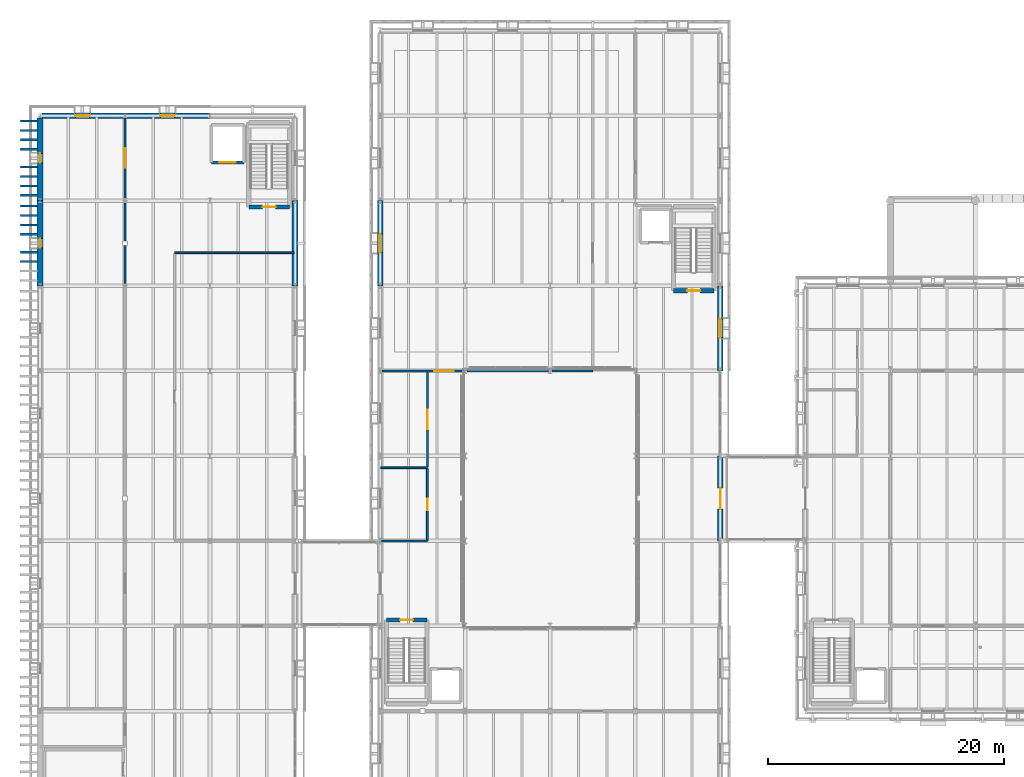
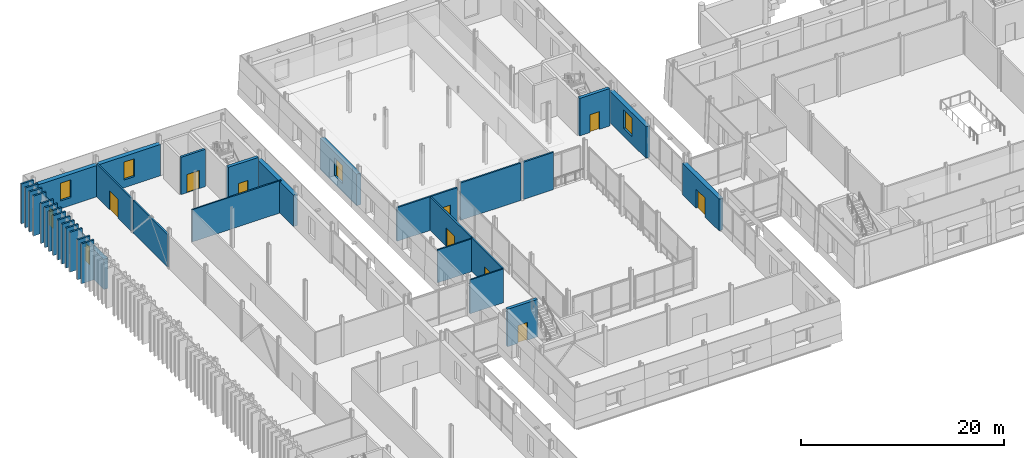
# One storey, part 81 of 121: 36 walls, 9 doors, 6 windows, 15 openings.
"""IFC4 building model written with IfcOpenShell, lengths in metres."""

from ifc_helpers import new_model, si_unit, direction, frame, frame_2d, origin, place, context, subcontext, project, spatial, rectangle, extrude, material, layer, layer_set, type_object, element, fill, save


model = new_model("IFC4")

# Units and contexts
model_context = context("Model", 3, precision=1e-05, world=origin(), true_north=direction((0.0, 1.0)))
body_context = subcontext(model_context, "Body", "Model", "MODEL_VIEW")
ifc_project = project(units=[si_unit("LENGTHUNIT", "METRE"), si_unit("AREAUNIT", "SQUARE_METRE"), si_unit("VOLUMEUNIT", "CUBIC_METRE"), si_unit("PLANEANGLEUNIT", "RADIAN"), si_unit("MASSUNIT", "GRAM", prefix="KILO")], contexts=[model_context])

# Site, building, storey
site_placement = place(None, origin())
site = spatial("IfcSite", under=ifc_project, at=site_placement, CompositionType="ELEMENT")
building_placement = place(site_placement, origin())
building = spatial("IfcBuilding", under=site, at=building_placement, Name="Narikvali Park Central Library", CompositionType="ELEMENT")
storey_placement = place(building_placement, frame((0.0, 0.0, 5.39990234375)))
storey = spatial("IfcBuildingStorey", under=building, at=storey_placement, Name="L01", CompositionType="ELEMENT", Elevation=5.39990234375)

# Walls
ifc_material_1 = material(Name="Kiln-Fired Terracotta Red Brick Masonry", Category="masonry")
ifc_layer_1 = layer(ifc_material_1, 0.199951171875, Name="Kiln-Fired Terracotta Red Brick Masonry")
ifc_layer_set_1 = layer_set([ifc_layer_1], Name="Kiln-Fired Terracotta Red Brick Masonry")
wall_type_1 = type_object("IfcWallType", Name="Kiln-Fired Red Brick Vertical Fin Wall 200", PredefinedType="SOLIDWALL", material=ifc_layer_set_1)
for number, where, z_axis, x_axis, name in (
    (1, (-1.659912109375, 95.64990234375, 0.0), (0.0, 0.0, 1.0), (1.0, 0.0, 0.0), "West Stacks Red Brick Vertical Fin Pier 422"),
    (2, (-1.659912109375, 96.449951171875, 0.0), (0.0, 0.0, 1.0), (1.0, 0.0, 0.0), "West Stacks Red Brick Vertical Fin Pier 428"),
    (3, (-1.659912109375, 97.949951171875, 0.0), (0.0, 0.0, 1.0), (1.0, 0.0, 0.0), "West Stacks Red Brick Vertical Fin Pier 434"),
    (4, (-1.659912109375, 98.75, 0.0), (0.0, 0.0, 1.0), (1.0, 0.0, 0.0), "West Stacks Red Brick Vertical Fin Pier 440"),
    (5, (-1.659912109375, 99.550048828125, 0.0), (0.0, 0.0, 1.0), (1.0, 0.0, 0.0), "West Stacks Red Brick Vertical Fin Pier 446"),
    (6, (-1.659912109375, 100.35009765625, 0.0), (0.0, 0.0, 1.0), (1.0, 0.0, 0.0), "West Stacks Red Brick Vertical Fin Pier 452"),
    (7, (-1.659912109375, 101.25, 0.0), (0.0, 0.0, 1.0), (1.0, 0.0, 0.0), "West Stacks Red Brick Vertical Fin Pier 458"),
    (8, (-1.659912109375, 102.050048828125, 0.0), (0.0, 0.0, 1.0), (1.0, 0.0, 0.0), "West Stacks Red Brick Vertical Fin Pier 464"),
    (9, (-1.659912109375, 102.85009765625, 0.0), (0.0, 0.0, 1.0), (1.0, 0.0, 0.0), "West Stacks Red Brick Vertical Fin Pier 470"),
    (10, (-1.659912109375, 103.64990234375, 0.0), (0.0, 0.0, 1.0), (1.0, 0.0, 0.0), "West Stacks Red Brick Vertical Fin Pier 476"),
    (11, (-1.659912109375, 105.14990234375, 0.0), (0.0, 0.0, 1.0), (1.0, 0.0, 0.0), "West Stacks Red Brick Vertical Fin Pier 482"),
    (12, (-1.659912109375, 105.949951171875, 0.0), (0.0, 0.0, 1.0), (1.0, 0.0, 0.0), "West Stacks Red Brick Vertical Fin Pier 488"),
    (13, (-1.659912109375, 106.75, 0.0), (0.0, 0.0, 1.0), (1.0, 0.0, 0.0), "West Stacks Red Brick Vertical Fin Pier 494"),
    (14, (-1.659912109375, 107.550048828125, 0.0), (0.0, 0.0, 1.0), (1.0, 0.0, 0.0), "West Stacks Red Brick Vertical Fin Pier 500"),
):
    element("IfcWall", number, at=place(storey_placement, frame(where, z_axis=z_axis, x_axis=x_axis)), inside=storey, type_object=wall_type_1, Name=name, PredefinedType="SOLIDWALL", context=body_context, shape_type="SweptSolid", body=[
        extrude(rectangle(XDim=1.43994140625, YDim=0.199951171875, at=frame_2d((0.719970703125, 0.0))), origin(), (0.0, 0.0, 1.0), 4.800048828125),
    ])
ifc_material_2 = material(Name="Moisture-Resistant Cement Board on Steel Studs", Category="steel")
ifc_layer_2 = layer(ifc_material_2, 0.14990234375, Name="Moisture-Resistant Cement Board on Steel Studs")
ifc_layer_set_2 = layer_set([ifc_layer_2], Name="Moisture-Resistant Cement Board on Steel Studs")
wall_type_2 = type_object("IfcWallType", Name="Moisture-Resistant WC Partition 150", PredefinedType="PARTITIONING", material=ifc_layer_set_2)
wall_1_placement = place(storey_placement, frame((28.9541015625, 72.0, 0.0), z_axis=(0.0, 0.0, 1.0), x_axis=(1.0, 0.0, 0.0)))
element("IfcWall", 15, at=wall_1_placement, inside=storey, type_object=wall_type_2, Name="Atrium Accessible WC L01 Partition S", PredefinedType="PARTITIONING", context=body_context, shape_type="SweptSolid", body=[
    extrude(rectangle(XDim=3.845947265625, YDim=0.14990234375, at=frame_2d((1.9228515625, 0.0))), origin(), (0.0, 0.0, 1.0), 4.065185546875),
])
wall_2_placement = place(storey_placement, frame((28.85498046875, 78.199951171875, 0.0), z_axis=(0.0, 0.0, 1.0), x_axis=(1.0, 0.0, 0.0)))
element("IfcWall", 16, at=wall_2_placement, inside=storey, type_object=wall_type_2, Name="Atrium Accessible WC L01 Partition N", PredefinedType="PARTITIONING", context=body_context, shape_type="SweptSolid", body=[
    extrude(rectangle(XDim=3.945068359375, YDim=0.14990234375, at=frame_2d((1.97265625, 0.0))), origin(), (0.0, 0.0, 1.0), 3.955078125),
])

# Wall, opening, door
wall_3_placement = place(storey_placement, frame((32.800048828125, 72.076904296875, 0.0), z_axis=(0.0, 0.0, 1.0), x_axis=(0.0, 1.0, 0.0)))
wall_3 = element("IfcWall", 17, at=wall_3_placement, inside=storey, type_object=wall_type_2, Name="Atrium Accessible WC L01 Partition E", PredefinedType="PARTITIONING", context=body_context, shape_type="SweptSolid", body=[
    extrude(rectangle(XDim=6.046142578125, YDim=0.14990234375, at=frame_2d((3.02294921875, 0.0))), origin(), (0.0, 0.0, 1.0), 4.065185546875),
])
opening_1_placement = place(wall_3_placement, frame((2.532958984375, 0.0, 0.0)))
opening_1 = element("IfcOpeningElement", 18, at=opening_1_placement, cuts=wall_3, Name="Opening ID-0013", PredefinedType="OPENING", context=body_context, shape_type="SweptSolid", body=[
    extrude(rectangle(XDim=0.97998046875, YDim=2.10009765625, at=frame_2d((0.489990234375, 1.050048828125))), frame((0.0, 0.0869140625, 0.0), z_axis=(0.0, -1.0, 0.0), x_axis=(1.0, 0.0, 0.0)), (0.0, 0.0, 1.0), 0.173828125),
])
ifc_material_3 = material(Name="Laminate Faced Hardwood Core", Category="wood")
door_type_1 = type_object("IfcDoorType", Name="Accessible WC Outward-Opening Door 980x2100", OperationType="SINGLE_SWING_RIGHT", PredefinedType="DOOR", material=ifc_material_3)
door_1_placement = place(opening_1_placement, frame((0.97998046875, 0.0, 0.0), z_axis=(0.0, 0.0, 1.0), x_axis=(-1.0, 0.0, 0.0)))
door_1 = element("IfcDoor", 19, at=door_1_placement, inside=storey, type_object=door_type_1, Name="Atrium Accessible WC L01 Door ID-0013", OperationType="SINGLE_SWING_LEFT", OverallHeight=2.10009765625, OverallWidth=0.97998046875, PredefinedType="DOOR", context=body_context, shape_type="SweptSolid", body=[
    extrude(rectangle(XDim=0.97998046875, YDim=2.10009765625, at=frame_2d((0.489990234375, 1.050048828125))), frame((0.0, 0.02490234375, 0.0), z_axis=(0.0, -1.0, 0.0), x_axis=(1.0, 0.0, 0.0)), (0.0, 0.0, 1.0), 0.050048828125),
])
fill(opening_1, door_1)

ifc_material_4 = material(Name="Acoustic Gypsum on Steel Studs", Category="steel")
ifc_layer_3 = layer(ifc_material_4, 0.179931640625, Name="Acoustic Gypsum on Steel Studs")
ifc_layer_set_3 = layer_set([ifc_layer_3], Name="Acoustic Gypsum on Steel Studs")
wall_type_3 = type_object("IfcWallType", Name="Reading Room Acoustic Partition 180", PredefinedType="PARTITIONING", material=ifc_layer_set_3)
wall_4_placement = place(storey_placement, frame((28.9541015625, 86.39990234375, 0.0), z_axis=(0.0, 0.0, 1.0), x_axis=(1.0, 0.0, 0.0)))
wall_4 = element("IfcWall", 20, at=wall_4_placement, inside=storey, type_object=wall_type_3, Name="Sciences and Arts Reading Room L01 Partition S", PredefinedType="PARTITIONING", context=body_context, shape_type="SweptSolid", body=[
    extrude(rectangle(XDim=6.891845703125, YDim=0.179931640625, at=frame_2d((3.44580078125, 0.0))), origin(), (0.0, 0.0, 1.0), 4.065185546875),
])
opening_2_placement = place(wall_4_placement, frame((4.424072265625, 0.0, 0.0)))
opening_2 = element("IfcOpeningElement", 21, at=opening_2_placement, cuts=wall_4, Name="Opening ID-0091", PredefinedType="OPENING", context=body_context, shape_type="SweptSolid", body=[
    extrude(rectangle(XDim=1.64990234375, YDim=2.25, at=frame_2d((0.824951171875, 1.125))), frame((0.0, 0.10205078125, 0.0), z_axis=(0.0, -1.0, 0.0), x_axis=(1.0, 0.0, 0.0)), (0.0, 0.0, 1.0), 0.203857421875),
])
ifc_material_5 = material(Name="Caucasian Oak and Tempered Glass", Category="glass")
door_type_2 = type_object("IfcDoorType", Name="Open Stacks Double Glazed Door 1650x2250", OperationType="DOUBLE_DOOR_SINGLE_SWING", PredefinedType="DOOR", material=ifc_material_5)
door_2_placement = place(opening_2_placement, origin())
door_2 = element("IfcDoor", 22, at=door_2_placement, inside=storey, type_object=door_type_2, Name="Sciences and Arts Reading Room L01 Door ID-0091", OperationType="DOUBLE_DOOR_SINGLE_SWING", OverallHeight=2.25, OverallWidth=1.64990234375, PredefinedType="DOOR", context=body_context, shape_type="SweptSolid", body=[
    extrude(rectangle(XDim=1.64990234375, YDim=2.25, at=frame_2d((0.824951171875, 1.125))), frame((0.0, 0.02490234375, 0.0), z_axis=(0.0, -1.0, 0.0), x_axis=(1.0, 0.0, 0.0)), (0.0, 0.0, 1.0), 0.050048828125),
])
fill(opening_2, door_2)

# Walls
wall_5_placement = place(storey_placement, frame((36.154052734375, 86.39990234375, 0.0), z_axis=(0.0, 0.0, 1.0), x_axis=(1.0, 0.0, 0.0)))
element("IfcWall", 23, at=wall_5_placement, inside=storey, type_object=wall_type_3, Name="Sciences and Arts Reading Room L01 Partition S", PredefinedType="PARTITIONING", context=body_context, shape_type="SweptSolid", body=[
    extrude(rectangle(XDim=6.891845703125, YDim=0.179931640625, at=frame_2d((3.44580078125, 0.0))), origin(), (0.0, 0.0, 1.0), 4.505126953125),
])
wall_6_placement = place(storey_placement, frame((43.35400390625, 86.39990234375, 0.0), z_axis=(0.0, 0.0, 1.0), x_axis=(1.0, 0.0, 0.0)))
element("IfcWall", 24, at=wall_6_placement, inside=storey, type_object=wall_type_3, Name="Sciences and Arts Reading Room L01 Partition S", PredefinedType="PARTITIONING", context=body_context, shape_type="SweptSolid", body=[
    extrude(rectangle(XDim=3.446044921875, YDim=0.179931640625, at=frame_2d((1.72314453125, 0.0))), origin(), (0.0, 0.0, 1.0), 4.505126953125),
])

# Wall, opening, door
wall_7_placement = place(storey_placement, frame((32.800048828125, 78.277099609375, 0.0), z_axis=(0.0, 0.0, 1.0), x_axis=(0.0, 1.0, 0.0)))
wall_7 = element("IfcWall", 25, at=wall_7_placement, inside=storey, type_object=wall_type_3, Name="Atrium Open Book Stacks L01 Partition E", PredefinedType="PARTITIONING", context=body_context, shape_type="SweptSolid", body=[
    extrude(rectangle(XDim=8.031005859375, YDim=0.179931640625, at=frame_2d((4.015625, 0.0))), origin(), (0.0, 0.0, 1.0), 4.065185546875),
])
opening_3_placement = place(wall_7_placement, frame((3.1904296875, 0.0, 0.0)))
opening_3 = element("IfcOpeningElement", 26, at=opening_3_placement, cuts=wall_7, Name="Opening ID-0093", PredefinedType="OPENING", context=body_context, shape_type="SweptSolid", body=[
    extrude(rectangle(XDim=1.64990234375, YDim=2.25, at=frame_2d((0.824951171875, 1.125))), frame((0.0, 0.10205078125, 0.0), z_axis=(0.0, -1.0, 0.0), x_axis=(1.0, 0.0, 0.0)), (0.0, 0.0, 1.0), 0.203857421875),
])
door_3_placement = place(opening_3_placement, origin())
door_3 = element("IfcDoor", 27, at=door_3_placement, inside=storey, type_object=door_type_2, Name="Atrium Open Book Stacks L01 Door ID-0093", OperationType="DOUBLE_DOOR_SINGLE_SWING", OverallHeight=2.25, OverallWidth=1.64990234375, PredefinedType="DOOR", context=body_context, shape_type="SweptSolid", body=[
    extrude(rectangle(XDim=1.64990234375, YDim=2.25, at=frame_2d((0.824951171875, 1.125))), frame((0.0, 0.02490234375, 0.0), z_axis=(0.0, -1.0, 0.0), x_axis=(1.0, 0.0, 0.0)), (0.0, 0.0, 1.0), 0.050048828125),
])
fill(opening_3, door_3)

# Wall
wall_8_placement = place(storey_placement, frame((7.199951171875, 93.79248046875, 0.0), z_axis=(0.0, 0.0, 1.0), x_axis=(0.0, 1.0, 0.0)))
element("IfcWall", 28, at=wall_8_placement, inside=storey, type_object=wall_type_3, Name="Caucasus History Open Stacks L01 Partition E", PredefinedType="PARTITIONING", context=body_context, shape_type="SweptSolid", body=[
    extrude(rectangle(XDim=6.81494140625, YDim=0.179931640625, at=frame_2d((3.407470703125, 0.0))), origin(), (0.0, 0.0, 1.0), 3.945068359375),
])

# Wall, opening, door
wall_9_placement = place(storey_placement, frame((7.199951171875, 100.992431640625, 0.0), z_axis=(0.0, 0.0, 1.0), x_axis=(0.0, 1.0, 0.0)))
wall_9 = element("IfcWall", 29, at=wall_9_placement, inside=storey, type_object=wall_type_3, Name="Caucasus History Open Stacks L01 Partition E", PredefinedType="PARTITIONING", context=body_context, shape_type="SweptSolid", body=[
    extrude(rectangle(XDim=6.823974609375, YDim=0.179931640625, at=frame_2d((3.412109375, 0.0))), origin(), (0.0, 0.0, 1.0), 3.945068359375),
])
opening_4_placement = place(wall_9_placement, frame((2.5869140625, 0.0, 0.0)))
opening_4 = element("IfcOpeningElement", 30, at=opening_4_placement, cuts=wall_9, Name="Opening ID-0121", PredefinedType="OPENING", context=body_context, shape_type="SweptSolid", body=[
    extrude(rectangle(XDim=1.64990234375, YDim=2.25, at=frame_2d((0.824951171875, 1.125))), frame((0.0, 0.10205078125, 0.0), z_axis=(0.0, -1.0, 0.0), x_axis=(1.0, 0.0, 0.0)), (0.0, 0.0, 1.0), 0.203857421875),
])
door_4_placement = place(opening_4_placement, origin())
door_4 = element("IfcDoor", 31, at=door_4_placement, inside=storey, type_object=door_type_2, Name="Caucasus History Open Stacks L01 Door ID-0121", OperationType="DOUBLE_DOOR_SINGLE_SWING", OverallHeight=2.25, OverallWidth=1.64990234375, PredefinedType="DOOR", context=body_context, shape_type="SweptSolid", body=[
    extrude(rectangle(XDim=1.64990234375, YDim=2.25, at=frame_2d((0.824951171875, 1.125))), frame((0.0, 0.02490234375, 0.0), z_axis=(0.0, -1.0, 0.0), x_axis=(1.0, 0.0, 0.0)), (0.0, 0.0, 1.0), 0.050048828125),
])
fill(opening_4, door_4)

ifc_material_6 = material(Name="Concrete C40/50", Category="concrete")
ifc_layer_4 = layer(ifc_material_6, 0.35009765625, Name="Concrete C40/50")
ifc_layer_set_4 = layer_set([ifc_layer_4], Name="Concrete C40/50")
wall_type_4 = type_object("IfcWallType", Name="Reinforced Concrete Core Shear Wall 350", PredefinedType="SHEAR", material=ifc_layer_set_4)
wall_10_placement = place(storey_placement, frame((32.77001953125, 65.320068359375, 0.0), z_axis=(0.0, 0.0, 1.0), x_axis=(-1.0, 0.0, 0.0)))
wall_10 = element("IfcWall", 32, at=wall_10_placement, inside=storey, type_object=wall_type_4, Name="C4A L01 Stair Core Shear Wall N", PredefinedType="SHEAR", context=body_context, shape_type="SweptSolid", body=[
    extrude(rectangle(XDim=3.43994140625, YDim=0.35009765625, at=frame_2d((1.719970703125, 0.0))), origin(), (0.0, 0.0, 1.0), 4.52001953125),
])
opening_5_placement = place(wall_10_placement, frame((1.169921875, 0.0, 0.0)))
opening_5 = element("IfcOpeningElement", 33, at=opening_5_placement, cuts=wall_10, Name="Opening SD-026", PredefinedType="OPENING", context=body_context, shape_type="SweptSolid", body=[
    extrude(rectangle(XDim=1.10009765625, YDim=2.14990234375, at=frame_2d((0.550048828125, 1.074951171875))), frame((0.0, 0.18701171875, 0.0), z_axis=(0.0, -1.0, 0.0), x_axis=(1.0, 0.0, 0.0)), (0.0, 0.0, 1.0), 0.3740234375),
])
ifc_material_7 = material(Name="Powder-Coated Steel S275 Fire Leaf", Category="steel")
door_type_3 = type_object("IfcDoorType", Name="Stair Core Smoke-Control Fire Door 1100x2150", OperationType="SINGLE_SWING_LEFT", PredefinedType="DOOR", material=ifc_material_7)
door_5_placement = place(opening_5_placement, frame((1.10009765625, 0.0, 0.0), z_axis=(0.0, 0.0, 1.0), x_axis=(-1.0, 0.0, 0.0)))
door_5 = element("IfcDoor", 34, at=door_5_placement, inside=storey, type_object=door_type_3, Name="ST-07 L01 Stair Exit Door SD-026", OperationType="SINGLE_SWING_RIGHT", OverallHeight=2.14990234375, OverallWidth=1.10009765625, PredefinedType="DOOR", context=body_context, shape_type="SweptSolid", body=[
    extrude(rectangle(XDim=1.10009765625, YDim=2.14990234375, at=frame_2d((0.550048828125, 1.074951171875))), frame((0.0, 0.02490234375, 0.0), z_axis=(0.0, -1.0, 0.0), x_axis=(1.0, 0.0, 0.0)), (0.0, 0.0, 1.0), 0.050048828125),
])
fill(opening_5, door_5)

wall_11_placement = place(storey_placement, frame((53.6298828125, 93.179931640625, 0.0), z_axis=(0.0, 0.0, 1.0), x_axis=(1.0, 0.0, 0.0)))
wall_11 = element("IfcWall", 35, at=wall_11_placement, inside=storey, type_object=wall_type_4, Name="C4B L01 Stair Core Shear Wall S", PredefinedType="SHEAR", context=body_context, shape_type="SweptSolid", body=[
    extrude(rectangle(XDim=3.440185546875, YDim=0.35009765625, at=frame_2d((1.72021484375, 0.0))), origin(), (0.0, 0.0, 1.0), 4.52001953125),
])
opening_6_placement = place(wall_11_placement, frame((1.169921875, 0.0, 0.0)))
opening_6 = element("IfcOpeningElement", 36, at=opening_6_placement, cuts=wall_11, Name="Opening SD-032", PredefinedType="OPENING", context=body_context, shape_type="SweptSolid", body=[
    extrude(rectangle(XDim=1.10009765625, YDim=2.14990234375, at=frame_2d((0.550048828125, 1.074951171875))), frame((0.0, 0.18701171875, 0.0), z_axis=(0.0, -1.0, 0.0), x_axis=(1.0, 0.0, 0.0)), (0.0, 0.0, 1.0), 0.3740234375),
])
door_6_placement = place(opening_6_placement, frame((1.10009765625, 0.0, 0.0), z_axis=(0.0, 0.0, 1.0), x_axis=(-1.0, 0.0, 0.0)))
door_6 = element("IfcDoor", 37, at=door_6_placement, inside=storey, type_object=door_type_3, Name="ST-08 L01 Stair Exit Door SD-032", OperationType="SINGLE_SWING_RIGHT", OverallHeight=2.14990234375, OverallWidth=1.10009765625, PredefinedType="DOOR", context=body_context, shape_type="SweptSolid", body=[
    extrude(rectangle(XDim=1.10009765625, YDim=2.14990234375, at=frame_2d((0.550048828125, 1.074951171875))), frame((0.0, 0.02490234375, 0.0), z_axis=(0.0, -1.0, 0.0), x_axis=(1.0, 0.0, 0.0)), (0.0, 0.0, 1.0), 0.050048828125),
])
fill(opening_6, door_6)

wall_12_placement = place(storey_placement, frame((17.679931640625, 100.280029296875, 0.0), z_axis=(0.0, 0.0, 1.0), x_axis=(1.0, 0.0, 0.0)))
wall_12 = element("IfcWall", 38, at=wall_12_placement, inside=storey, type_object=wall_type_4, Name="C5B L01 Stair Core Shear Wall S", PredefinedType="SHEAR", context=body_context, shape_type="SweptSolid", body=[
    extrude(rectangle(XDim=3.440185546875, YDim=0.35009765625, at=frame_2d((1.72021484375, 0.0))), origin(), (0.0, 0.0, 1.0), 4.5),
])
opening_7_placement = place(wall_12_placement, frame((1.169921875, 0.0, 0.0)))
opening_7 = element("IfcOpeningElement", 39, at=opening_7_placement, cuts=wall_12, Name="Opening SD-052", PredefinedType="OPENING", context=body_context, shape_type="SweptSolid", body=[
    extrude(rectangle(XDim=1.10009765625, YDim=2.14990234375, at=frame_2d((0.550048828125, 1.074951171875))), frame((0.0, 0.18701171875, 0.0), z_axis=(0.0, -1.0, 0.0), x_axis=(1.0, 0.0, 0.0)), (0.0, 0.0, 1.0), 0.3740234375),
])
door_7_placement = place(opening_7_placement, frame((1.10009765625, 0.0, 0.0), z_axis=(0.0, 0.0, 1.0), x_axis=(-1.0, 0.0, 0.0)))
door_7 = element("IfcDoor", 40, at=door_7_placement, inside=storey, type_object=door_type_3, Name="ST-10 L01 Stair Exit Door SD-052", OperationType="SINGLE_SWING_RIGHT", OverallHeight=2.14990234375, OverallWidth=1.10009765625, PredefinedType="DOOR", context=body_context, shape_type="SweptSolid", body=[
    extrude(rectangle(XDim=1.10009765625, YDim=2.14990234375, at=frame_2d((0.550048828125, 1.074951171875))), frame((0.0, 0.02490234375, 0.0), z_axis=(0.0, -1.0, 0.0), x_axis=(1.0, 0.0, 0.0)), (0.0, 0.0, 1.0), 0.050048828125),
])
fill(opening_7, door_7)

ifc_layer_5 = layer(ifc_material_6, 0.25, Name="Concrete C40/50")
ifc_layer_set_5 = layer_set([ifc_layer_5], Name="Concrete C40/50")
wall_type_5 = type_object("IfcWallType", Name="Reinforced Concrete Lift Shaft Wall 250", PredefinedType="SHEAR", material=ifc_layer_set_5)
wall_13_placement = place(storey_placement, frame((14.52001953125, 104.050048828125, 0.0), z_axis=(0.0, 0.0, 1.0), x_axis=(1.0, 0.0, 0.0)))
wall_13 = element("IfcWall", 41, at=wall_13_placement, inside=storey, type_object=wall_type_5, Name="GL-02 L01 Lift Shaft Wall S", PredefinedType="SHEAR", context=body_context, shape_type="SweptSolid", body=[
    extrude(rectangle(XDim=2.75, YDim=0.25, at=frame_2d((1.375, 0.0))), origin(), (0.0, 0.0, 1.0), 4.5),
])
opening_8_placement = place(wall_13_placement, frame((0.675048828125, 0.0, 0.0)))
opening_8 = element("IfcOpeningElement", 42, at=opening_8_placement, cuts=wall_13, Name="Opening LD-043", PredefinedType="OPENING", context=body_context, shape_type="SweptSolid", body=[
    extrude(rectangle(XDim=1.39990234375, YDim=2.199951171875, at=frame_2d((0.699951171875, 1.10009765625))), frame((0.0, 0.136962890625, 0.0), z_axis=(0.0, -1.0, 0.0), x_axis=(1.0, 0.0, 0.0)), (0.0, 0.0, 1.0), 0.27392578125),
])
ifc_material_8 = material(Name="Brushed Stainless Steel S355", Category="steel")
door_type_4 = type_object("IfcDoorType", Name="Book Goods Lift Sliding Landing Door 1400x2200", OperationType="DOUBLE_DOOR_SLIDING", PredefinedType="DOOR", material=ifc_material_8)
door_8_placement = place(opening_8_placement, origin())
door_8 = element("IfcDoor", 43, at=door_8_placement, inside=storey, type_object=door_type_4, Name="GL-02 L01 Lift Landing Sliding Door LD-043", OperationType="DOUBLE_DOOR_SLIDING", OverallHeight=2.199951171875, OverallWidth=1.39990234375, PredefinedType="DOOR", context=body_context, shape_type="SweptSolid", body=[
    extrude(rectangle(XDim=1.39990234375, YDim=2.199951171875, at=frame_2d((0.699951171875, 1.10009765625))), frame((0.0, 0.02490234375, 0.0), z_axis=(0.0, -1.0, 0.0), x_axis=(1.0, 0.0, 0.0)), (0.0, 0.0, 1.0), 0.050048828125),
])
fill(opening_8, door_8)

# Wall
ifc_material_9 = material(Name="Gypsum Board on Galvanised Steel Studs", Category="steel")
ifc_layer_6 = layer(ifc_material_9, 0.159912109375, Name="Gypsum Board on Galvanised Steel Studs")
ifc_layer_set_6 = layer_set([ifc_layer_6], Name="Gypsum Board on Galvanised Steel Studs")
wall_type_6 = type_object("IfcWallType", Name="Study Room Partition Wall 160", PredefinedType="PARTITIONING", material=ifc_layer_set_6)
wall_14_placement = place(storey_placement, frame((11.39990234375, 96.39990234375, 0.0), z_axis=(0.0, 0.0, 1.0), x_axis=(1.0, 0.0, 0.0)))
element("IfcWall", 44, at=wall_14_placement, inside=storey, type_object=wall_type_6, Name="Quiet Study Carrels L01 Partition N", PredefinedType="PARTITIONING", context=body_context, shape_type="SweptSolid", body=[
    extrude(rectangle(XDim=10.14501953125, YDim=0.159912109375, at=frame_2d((5.072509765625, 0.0))), origin(), (0.0, 0.0, 1.0), 3.885009765625),
])

# Wall, opening, door
ifc_material_10 = material(Name="White Honed Limestone over Concrete C35/45", Category="masonry")
ifc_layer_7 = layer(ifc_material_10, 0.47998046875, Name="White Honed Limestone over Concrete C35/45")
ifc_layer_set_7 = layer_set([ifc_layer_7], Name="White Honed Limestone over Concrete C35/45")
wall_type_7 = type_object("IfcWallType", Name="White Limestone Battered Tier1 Wall 480", PredefinedType="SOLIDWALL", material=ifc_layer_set_7)
wall_15_placement = place(storey_placement, frame((57.60009765625, 72.0, 0.0), z_axis=(0.0, 0.0, 1.0), x_axis=(0.0, 1.0, 0.0)))
wall_15 = element("IfcWall", 45, at=wall_15_placement, inside=storey, type_object=wall_type_7, Name="V4 L01 E Exterior Limestone Wall B04", PredefinedType="SOLIDWALL", context=body_context, shape_type="SweptSolid", body=[
    extrude(rectangle(XDim=7.199951171875, YDim=0.47998046875, at=frame_2d((3.60009765625, 0.0))), origin(), (0.0, 0.0, 1.0), 3.800048828125),
])
opening_9_placement = place(wall_15_placement, frame((2.699951171875, 0.0, 0.0)))
opening_9 = element("IfcOpeningElement", 46, at=opening_9_placement, cuts=wall_15, Name="Opening BD-032", PredefinedType="OPENING", context=body_context, shape_type="SweptSolid", body=[
    extrude(rectangle(XDim=1.800048828125, YDim=2.300048828125, at=frame_2d((0.89990234375, 1.14990234375))), frame((0.0, 0.251953125, 0.0), z_axis=(0.0, -1.0, 0.0), x_axis=(1.0, 0.0, 0.0)), (0.0, 0.0, 1.0), 0.50390625),
])
ifc_material_11 = material(Name="Fire-Rated Glazing in Steel S275 Frame", Category="steel")
door_type_5 = type_object("IfcDoorType", Name="Glazed Double Corridor Bridge Fire Door 1800x2300", OperationType="DOUBLE_DOOR_SINGLE_SWING", PredefinedType="DOOR", material=ifc_material_11)
door_9_placement = place(opening_9_placement, origin())
door_9 = element("IfcDoor", 47, at=door_9_placement, inside=storey, type_object=door_type_5, Name="V4 L01 Covered Bridge Fire Door BD-032", OperationType="DOUBLE_DOOR_SINGLE_SWING", OverallHeight=2.300048828125, OverallWidth=1.800048828125, PredefinedType="DOOR", context=body_context, shape_type="SweptSolid", body=[
    extrude(rectangle(XDim=1.800048828125, YDim=2.300048828125, at=frame_2d((0.89990234375, 1.14990234375))), frame((0.0, 0.02490234375, 0.0), z_axis=(0.0, -1.0, 0.0), x_axis=(1.0, 0.0, 0.0)), (0.0, 0.0, 1.0), 0.050048828125),
])
fill(opening_9, door_9)

# Wall, opening, window
wall_16_placement = place(storey_placement, frame((57.60009765625, 86.39990234375, 0.0), z_axis=(0.0, 0.0, 1.0), x_axis=(0.0, 1.0, 0.0)))
wall_16 = element("IfcWall", 48, at=wall_16_placement, inside=storey, type_object=wall_type_7, Name="V4 L01 E Exterior Limestone Wall B06", PredefinedType="SOLIDWALL", context=body_context, shape_type="SweptSolid", body=[
    extrude(rectangle(XDim=7.2001953125, YDim=0.47998046875, at=frame_2d((3.60009765625, 0.0))), origin(), (0.0, 0.0, 1.0), 3.800048828125),
])
opening_10_placement = place(wall_16_placement, frame((2.800048828125, 0.0, 0.949951171875)))
opening_10 = element("IfcOpeningElement", 49, at=opening_10_placement, cuts=wall_16, Name="Opening WIN-0149", PredefinedType="OPENING", context=body_context, shape_type="SweptSolid", body=[
    extrude(rectangle(XDim=1.60009765625, YDim=2.199951171875, at=frame_2d((0.800048828125, 1.10009765625))), frame((0.0, 0.251953125, 0.0), z_axis=(0.0, -1.0, 0.0), x_axis=(1.0, 0.0, 0.0)), (0.0, 0.0, 1.0), 0.50390625),
])
ifc_material_12 = material(Name="Anodised Bronze Aluminium and Low-E Triple Glazing", Category="aluminium")
window_type_1 = type_object("IfcWindowType", Name="Atrium Reading Wing Classical Window 1600x2200", PartitioningType="DOUBLE_PANEL_VERTICAL", PredefinedType="WINDOW", material=ifc_material_12)
window_1_placement = place(opening_10_placement, origin())
window_1 = element("IfcWindow", 50, at=window_1_placement, inside=storey, type_object=window_type_1, Name="V4 L01 E Deep-Reveal Window WIN-0149", OverallHeight=2.199951171875, OverallWidth=1.60009765625, PartitioningType="SINGLE_PANEL", PredefinedType="WINDOW", context=body_context, shape_type="SweptSolid", body=[
    extrude(rectangle(XDim=1.60009765625, YDim=2.199951171875, at=frame_2d((0.800048828125, 1.10009765625))), frame((0.0, 0.030029296875, 0.0), z_axis=(0.0, -1.0, 0.0), x_axis=(1.0, 0.0, 0.0)), (0.0, 0.0, 1.0), 0.06005859375),
])
fill(opening_10, window_1)

wall_17_placement = place(storey_placement, frame((28.800048828125, 100.800048828125, 0.0), z_axis=(0.0, 0.0, 1.0), x_axis=(0.0, -1.0, 0.0)))
wall_17 = element("IfcWall", 51, at=wall_17_placement, inside=storey, type_object=wall_type_7, Name="V4 L01 W Exterior Limestone Wall B03", PredefinedType="SOLIDWALL", context=body_context, shape_type="SweptSolid", body=[
    extrude(rectangle(XDim=7.199951171875, YDim=0.47998046875, at=frame_2d((3.60009765625, 0.0))), origin(), (0.0, 0.0, 1.0), 3.800048828125),
])
opening_11_placement = place(wall_17_placement, frame((2.800048828125, 0.0, 0.949951171875)))
opening_11 = element("IfcOpeningElement", 52, at=opening_11_placement, cuts=wall_17, Name="Opening WIN-0158", PredefinedType="OPENING", context=body_context, shape_type="SweptSolid", body=[
    extrude(rectangle(XDim=1.60009765625, YDim=2.199951171875, at=frame_2d((0.800048828125, 1.10009765625))), frame((0.0, 0.251953125, 0.0), z_axis=(0.0, -1.0, 0.0), x_axis=(1.0, 0.0, 0.0)), (0.0, 0.0, 1.0), 0.50390625),
])
window_2_placement = place(opening_11_placement, origin())
window_2 = element("IfcWindow", 53, at=window_2_placement, inside=storey, type_object=window_type_1, Name="V4 L01 W Deep-Reveal Window WIN-0158", OverallHeight=2.199951171875, OverallWidth=1.60009765625, PartitioningType="SINGLE_PANEL", PredefinedType="WINDOW", context=body_context, shape_type="SweptSolid", body=[
    extrude(rectangle(XDim=1.60009765625, YDim=2.199951171875, at=frame_2d((0.800048828125, 1.10009765625))), frame((0.0, 0.030029296875, 0.0), z_axis=(0.0, -1.0, 0.0), x_axis=(1.0, 0.0, 0.0)), (0.0, 0.0, 1.0), 0.06005859375),
])
fill(opening_11, window_2)

# Wall
wall_18_placement = place(storey_placement, frame((21.60009765625, 93.60009765625, 0.0), z_axis=(0.0, 0.0, 1.0), x_axis=(0.0, 1.0, 0.0)))
element("IfcWall", 54, at=wall_18_placement, inside=storey, type_object=wall_type_7, Name="V5 L01 E Exterior Limestone Wall B10", PredefinedType="SOLIDWALL", context=body_context, shape_type="SweptSolid", body=[
    extrude(rectangle(XDim=7.199951171875, YDim=0.47998046875, at=frame_2d((3.60009765625, 0.0))), origin(), (0.0, 0.0, 1.0), 3.780029296875),
])

# Wall, opening, window
wall_19_placement = place(storey_placement, frame((14.39990234375, 108.0, 0.0), z_axis=(0.0, 0.0, 1.0), x_axis=(-1.0, 0.0, 0.0)))
wall_19 = element("IfcWall", 55, at=wall_19_placement, inside=storey, type_object=wall_type_7, Name="V5 L01 N Exterior Limestone Wall B02", PredefinedType="SOLIDWALL", context=body_context, shape_type="SweptSolid", body=[
    extrude(rectangle(XDim=7.199951171875, YDim=0.47998046875, at=frame_2d((3.60009765625, 0.0))), origin(), (0.0, 0.0, 1.0), 3.780029296875),
])
opening_12_placement = place(wall_19_placement, frame((3.0, 0.0, 0.949951171875)))
opening_12 = element("IfcOpeningElement", 56, at=opening_12_placement, cuts=wall_19, Name="Opening WIN-0250", PredefinedType="OPENING", context=body_context, shape_type="SweptSolid", body=[
    extrude(rectangle(XDim=1.199951171875, YDim=2.14990234375, at=frame_2d((0.60009765625, 1.074951171875))), frame((0.0, 0.251953125, 0.0), z_axis=(0.0, -1.0, 0.0), x_axis=(1.0, 0.0, 0.0)), (0.0, 0.0, 1.0), 0.50390625),
])
window_type_2 = type_object("IfcWindowType", Name="Stacks Archive Deep-Reveal Punched Window 1200x2150", PartitioningType="SINGLE_PANEL", PredefinedType="WINDOW", material=ifc_material_12)
window_3_placement = place(opening_12_placement, origin())
window_3 = element("IfcWindow", 57, at=window_3_placement, inside=storey, type_object=window_type_2, Name="V5 L01 N Deep-Reveal Window WIN-0250", OverallHeight=2.14990234375, OverallWidth=1.199951171875, PartitioningType="SINGLE_PANEL", PredefinedType="WINDOW", context=body_context, shape_type="SweptSolid", body=[
    extrude(rectangle(XDim=1.199951171875, YDim=2.14990234375, at=frame_2d((0.60009765625, 1.074951171875))), frame((0.0, 0.030029296875, 0.0), z_axis=(0.0, -1.0, 0.0), x_axis=(1.0, 0.0, 0.0)), (0.0, 0.0, 1.0), 0.06005859375),
])
fill(opening_12, window_3)

wall_20_placement = place(storey_placement, frame((7.199951171875, 108.0, 0.0), z_axis=(0.0, 0.0, 1.0), x_axis=(-1.0, 0.0, 0.0)))
wall_20 = element("IfcWall", 58, at=wall_20_placement, inside=storey, type_object=wall_type_7, Name="V5 L01 N Exterior Limestone Wall B03", PredefinedType="SOLIDWALL", context=body_context, shape_type="SweptSolid", body=[
    extrude(rectangle(XDim=7.04150390625, YDim=0.47998046875, at=frame_2d((3.520751953125, 0.0))), origin(), (0.0, 0.0, 1.0), 3.780029296875),
])
opening_13_placement = place(wall_20_placement, frame((3.0, 0.0, 0.949951171875)))
opening_13 = element("IfcOpeningElement", 59, at=opening_13_placement, cuts=wall_20, Name="Opening WIN-0251", PredefinedType="OPENING", context=body_context, shape_type="SweptSolid", body=[
    extrude(rectangle(XDim=1.199951171875, YDim=2.14990234375, at=frame_2d((0.60009765625, 1.074951171875))), frame((0.0, 0.251953125, 0.0), z_axis=(0.0, -1.0, 0.0), x_axis=(1.0, 0.0, 0.0)), (0.0, 0.0, 1.0), 0.50390625),
])
window_4_placement = place(opening_13_placement, origin())
window_4 = element("IfcWindow", 60, at=window_4_placement, inside=storey, type_object=window_type_2, Name="V5 L01 N Deep-Reveal Window WIN-0251", OverallHeight=2.14990234375, OverallWidth=1.199951171875, PartitioningType="SINGLE_PANEL", PredefinedType="WINDOW", context=body_context, shape_type="SweptSolid", body=[
    extrude(rectangle(XDim=1.199951171875, YDim=2.14990234375, at=frame_2d((0.60009765625, 1.074951171875))), frame((0.0, 0.030029296875, 0.0), z_axis=(0.0, -1.0, 0.0), x_axis=(1.0, 0.0, 0.0)), (0.0, 0.0, 1.0), 0.06005859375),
])
fill(opening_13, window_4)

wall_21_placement = place(storey_placement, frame((0.0, 107.81640625, 0.0), z_axis=(0.0, 0.0, 1.0), x_axis=(0.0, -1.0, 0.0)))
wall_21 = element("IfcWall", 61, at=wall_21_placement, inside=storey, type_object=wall_type_7, Name="V5 L01 W Exterior Limestone Wall B01", PredefinedType="SOLIDWALL", context=body_context, shape_type="SweptSolid", body=[
    extrude(rectangle(XDim=7.016357421875, YDim=0.47998046875, at=frame_2d((3.50830078125, 0.0))), origin(), (0.0, 0.0, 1.0), 3.6201171875),
])
opening_14_placement = place(wall_21_placement, frame((3.0166015625, 0.0, 0.949951171875)))
opening_14 = element("IfcOpeningElement", 62, at=opening_14_placement, cuts=wall_21, Name="Opening WIN-0252", PredefinedType="OPENING", context=body_context, shape_type="SweptSolid", body=[
    extrude(rectangle(XDim=0.800048828125, YDim=2.14990234375, at=frame_2d((0.39990234375, 1.074951171875))), frame((0.0, 0.251953125, 0.0), z_axis=(0.0, -1.0, 0.0), x_axis=(1.0, 0.0, 0.0)), (0.0, 0.0, 1.0), 0.50390625),
])
window_type_3 = type_object("IfcWindowType", Name="West Fin-Bay Narrow Carrel Slot Window 800x2150", PartitioningType="SINGLE_PANEL", PredefinedType="WINDOW", material=ifc_material_12)
window_5_placement = place(opening_14_placement, origin())
window_5 = element("IfcWindow", 63, at=window_5_placement, inside=storey, type_object=window_type_3, Name="V5 L01 W Deep-Reveal Window WIN-0252", OverallHeight=2.14990234375, OverallWidth=0.800048828125, PartitioningType="SINGLE_PANEL", PredefinedType="WINDOW", context=body_context, shape_type="SweptSolid", body=[
    extrude(rectangle(XDim=0.800048828125, YDim=2.14990234375, at=frame_2d((0.39990234375, 1.074951171875))), frame((0.0, 0.030029296875, 0.0), z_axis=(0.0, -1.0, 0.0), x_axis=(1.0, 0.0, 0.0)), (0.0, 0.0, 1.0), 0.06005859375),
])
fill(opening_14, window_5)

wall_22_placement = place(storey_placement, frame((0.0, 100.800048828125, 0.0), z_axis=(0.0, 0.0, 1.0), x_axis=(0.0, -1.0, 0.0)))
wall_22 = element("IfcWall", 64, at=wall_22_placement, inside=storey, type_object=wall_type_7, Name="V5 L01 W Exterior Limestone Wall B02", PredefinedType="SOLIDWALL", context=body_context, shape_type="SweptSolid", body=[
    extrude(rectangle(XDim=7.199951171875, YDim=0.47998046875, at=frame_2d((3.60009765625, 0.0))), origin(), (0.0, 0.0, 1.0), 3.6201171875),
])
opening_15_placement = place(wall_22_placement, frame((3.199951171875, 0.0, 0.949951171875)))
opening_15 = element("IfcOpeningElement", 65, at=opening_15_placement, cuts=wall_22, Name="Opening WIN-0253", PredefinedType="OPENING", context=body_context, shape_type="SweptSolid", body=[
    extrude(rectangle(XDim=0.800048828125, YDim=2.14990234375, at=frame_2d((0.39990234375, 1.074951171875))), frame((0.0, 0.251953125, 0.0), z_axis=(0.0, -1.0, 0.0), x_axis=(1.0, 0.0, 0.0)), (0.0, 0.0, 1.0), 0.50390625),
])
window_6_placement = place(opening_15_placement, origin())
window_6 = element("IfcWindow", 66, at=window_6_placement, inside=storey, type_object=window_type_3, Name="V5 L01 W Deep-Reveal Window WIN-0253", OverallHeight=2.14990234375, OverallWidth=0.800048828125, PartitioningType="SINGLE_PANEL", PredefinedType="WINDOW", context=body_context, shape_type="SweptSolid", body=[
    extrude(rectangle(XDim=0.800048828125, YDim=2.14990234375, at=frame_2d((0.39990234375, 1.074951171875))), frame((0.0, 0.030029296875, 0.0), z_axis=(0.0, -1.0, 0.0), x_axis=(1.0, 0.0, 0.0)), (0.0, 0.0, 1.0), 0.06005859375),
])
fill(opening_15, window_6)

save(model, "model.ifc")
